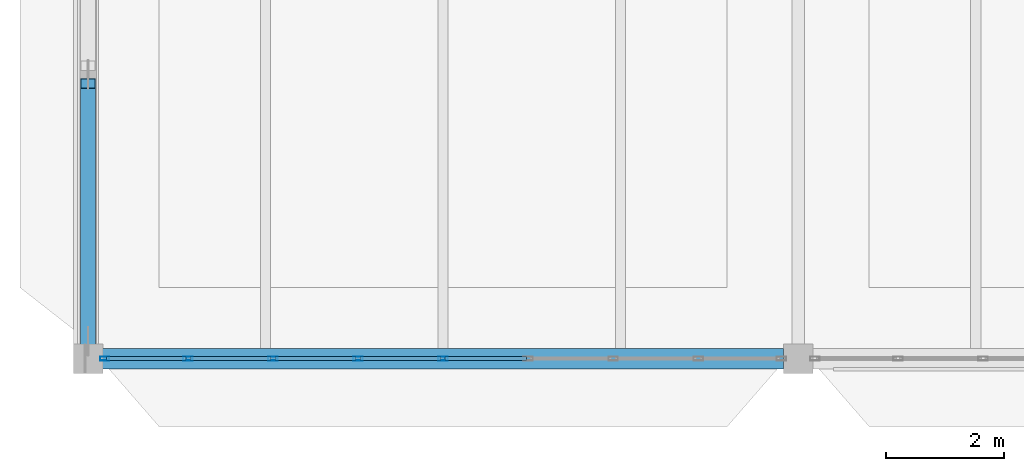
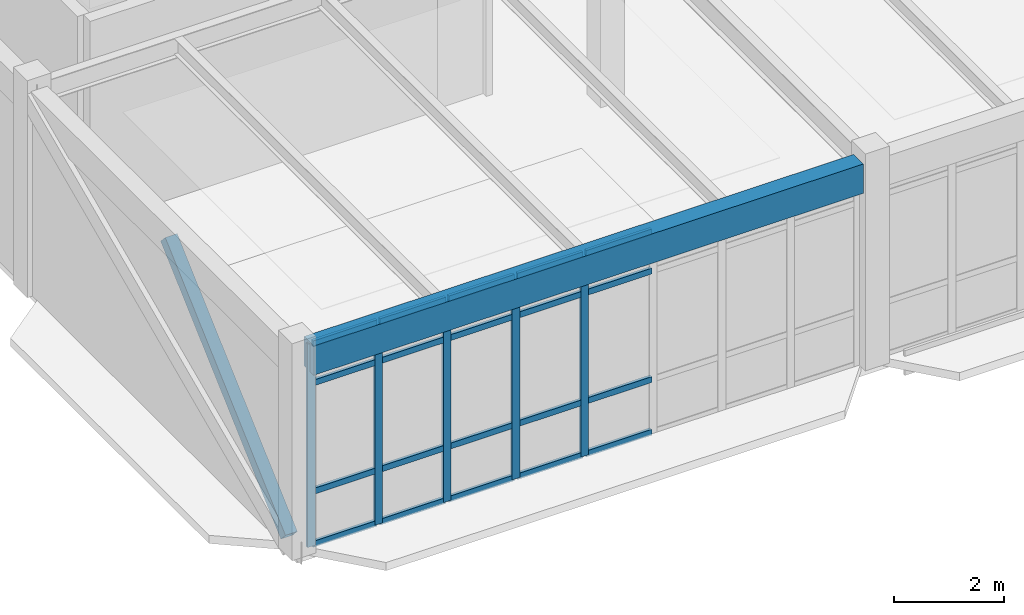
# One storey, part 9 of 236: 26 members, 1 beam, 1 element without a shape of its own.
"""IFC4 building model written with IfcOpenShell, lengths in metres."""

from ifc_helpers import new_model, si_unit, direction, frame, origin, origin_2d, place, context, subcontext, project, spatial, rectangle, hollow_rectangle, extrude, material, layer, layer_set, material_profile, profile_set, type_object, element, aggregate, save


model = new_model("IFC4")

# Units and contexts
model_context = context("Model", 3, precision=1e-05, world=origin(), true_north=direction((0.0, 1.0)))
body_context = subcontext(model_context, "Body", "Model", "MODEL_VIEW")
ifc_project = project(units=[si_unit("LENGTHUNIT", "METRE"), si_unit("AREAUNIT", "SQUARE_METRE"), si_unit("VOLUMEUNIT", "CUBIC_METRE"), si_unit("PLANEANGLEUNIT", "RADIAN"), si_unit("MASSUNIT", "GRAM", prefix="KILO")], contexts=[model_context])

# Site, building, storey
site_placement = place(None, origin())
site = spatial("IfcSite", under=ifc_project, at=site_placement, CompositionType="ELEMENT")
building_placement = place(site_placement, origin())
building = spatial("IfcBuilding", under=site, at=building_placement, Name="Pandanus Reach Market Hall", CompositionType="ELEMENT")
storey_placement = place(building_placement, frame((0.0, 0.0, 5.39990234375)))
storey = spatial("IfcBuildingStorey", under=building, at=storey_placement, Name="L01", CompositionType="ELEMENT", Elevation=5.39990234375)

# Beam
ifc_material_1 = material(Name="Concrete N40 (40 MPa)", Category="concrete")
ifc_material_profile_1 = material_profile(ifc_material_1, rectangle(XDim=0.35009765625, YDim=0.64990234375, at=origin_2d()), Name="RC350x650", Category="LoadBearing")
ifc_profile_set_1 = profile_set([ifc_material_profile_1], Name="Concrete N40 (40 MPa)")
beam_type = type_object("IfcBeamType", Name="BM-RC350-E", PredefinedType="SPANDREL", material=ifc_profile_set_1)
beam_placement = place(storey_placement, frame((0.248046875, 0.0, 4.210205078125), z_axis=(1.0, 0.0, 0.0), x_axis=(0.0, 1.0, 0.0)))
element("IfcBeam", 1, at=beam_placement, inside=storey, type_object=beam_type, Name="Framing beam BM-RC350-E L01.966", PredefinedType="SPANDREL", context=body_context, shape_type="SweptSolid", body=[
    extrude(rectangle(XDim=0.35009765625, YDim=0.64990234375, at=origin_2d()), origin(), (0.0, 0.0, 1.0), 11.50390625),
])

# Member
ifc_material_2 = material(Name="Steel Grade 350 (350 MPa)", Category="steel")
ifc_material_profile_2 = material_profile(ifc_material_2, hollow_rectangle(XDim=0.25, YDim=0.25, WallThickness=0.010009765625, at=origin_2d()), Name="250x250x10.0SHS", Category="LoadBearing")
ifc_profile_set_2 = profile_set([ifc_material_profile_2], Name="Steel Grade 350 (350 MPa)")
member_type_1 = type_object("IfcMemberType", Name="BR-SHS250-E", PredefinedType="BRACE", material=ifc_profile_set_2)
member_1_placement = place(storey_placement, frame((0.0, 0.2900390625, 0.150146484375), z_axis=(0.0, 0.741086318029, 0.671409762537), x_axis=(-1.0, 0.0, 0.0)))
element("IfcMember", 2, at=member_1_placement, inside=storey, type_object=member_type_1, Name="Chevron brace BR-SHS250-E 10A", PredefinedType="BRACE", context=body_context, shape_type="SweptSolid", body=[
    extrude(hollow_rectangle(XDim=0.25, YDim=0.25, WallThickness=0.010009765625, at=origin_2d()), origin(), (0.0, 0.0, 1.0), 5.883056640625),
])

# Curtain wall, members
ifc_material_3 = material(Name="Bronze anodised aluminium and low-E glass", Category="aluminium")
ifc_layer = layer(ifc_material_3, 0.159912109375, Name="CW-15")
ifc_layer_set = layer_set([ifc_layer], Name="Bronze anodised aluminium and low-E glass")
curtain_wall_type = type_object("IfcCurtainWallType", Name="CW-15", PredefinedType="NOTDEFINED", material=ifc_layer_set)
curtain_wall_placement = place(storey_placement, origin())
curtain_wall = element("IfcCurtainWall", 3, at=curtain_wall_placement, inside=storey, type_object=curtain_wall_type, Name="Glazed curtain wall CW-15 CW-0054", PredefinedType="NOTDEFINED")
ifc_material_4 = material(Name="Bronze anodised aluminium", Category="aluminium")
ifc_material_profile_3 = material_profile(ifc_material_4, hollow_rectangle(XDim=0.06494140625, YDim=0.159912109375, WallThickness=0.00390625, at=origin_2d()), Name="ALU65x160", Category="LoadBearing")
ifc_profile_set_3 = profile_set([ifc_material_profile_3], Name="Bronze anodised aluminium")
member_type_2 = type_object("IfcMemberType", Name="CW-M1", PredefinedType="MULLION", material=ifc_profile_set_3)
member_2_placement = place(storey_placement, frame((0.282470703125, 0.0, 0.0), z_axis=(0.0, 0.0, 1.0), x_axis=(0.0, 1.0, 0.0)))
member_2 = element("IfcMember", 4, at=member_2_placement, type_object=member_type_2, Name="CW-15 mullion 1", PredefinedType="MULLION", context=body_context, shape_type="SweptSolid", body=[
    extrude(hollow_rectangle(XDim=0.06494140625, YDim=0.159912109375, WallThickness=0.00390625, at=origin_2d()), origin(), (0.0, 0.0, 1.0), 4.5),
])
member_3_placement = place(storey_placement, frame((1.6875, 0.0, 0.0), z_axis=(0.0, 0.0, 1.0), x_axis=(0.0, 1.0, 0.0)))
member_3 = element("IfcMember", 5, at=member_3_placement, type_object=member_type_2, Name="CW-15 mullion 2", PredefinedType="MULLION", context=body_context, shape_type="SweptSolid", body=[
    extrude(hollow_rectangle(XDim=0.06494140625, YDim=0.159912109375, WallThickness=0.00390625, at=origin_2d()), origin(), (0.0, 0.0, 1.0), 4.5),
])
member_4_placement = place(storey_placement, frame((3.125, 0.0, 0.0), z_axis=(0.0, 0.0, 1.0), x_axis=(0.0, 1.0, 0.0)))
member_4 = element("IfcMember", 6, at=member_4_placement, type_object=member_type_2, Name="CW-15 mullion 3", PredefinedType="MULLION", context=body_context, shape_type="SweptSolid", body=[
    extrude(hollow_rectangle(XDim=0.06494140625, YDim=0.159912109375, WallThickness=0.00390625, at=origin_2d()), origin(), (0.0, 0.0, 1.0), 4.5),
])
member_5_placement = place(storey_placement, frame((4.5625, 0.0, 0.0), z_axis=(0.0, 0.0, 1.0), x_axis=(0.0, 1.0, 0.0)))
member_5 = element("IfcMember", 7, at=member_5_placement, type_object=member_type_2, Name="CW-15 mullion 4", PredefinedType="MULLION", context=body_context, shape_type="SweptSolid", body=[
    extrude(hollow_rectangle(XDim=0.06494140625, YDim=0.159912109375, WallThickness=0.00390625, at=origin_2d()), origin(), (0.0, 0.0, 1.0), 4.5),
])
member_6_placement = place(storey_placement, frame((6.0, 0.0, 0.0), z_axis=(0.0, 0.0, 1.0), x_axis=(0.0, 1.0, 0.0)))
member_6 = element("IfcMember", 8, at=member_6_placement, type_object=member_type_2, Name="CW-15 mullion 5", PredefinedType="MULLION", context=body_context, shape_type="SweptSolid", body=[
    extrude(hollow_rectangle(XDim=0.06494140625, YDim=0.159912109375, WallThickness=0.00390625, at=origin_2d()), origin(), (0.0, 0.0, 1.0), 4.5),
])
ifc_material_profile_4 = material_profile(ifc_material_4, hollow_rectangle(XDim=0.06494140625, YDim=0.1298828125, WallThickness=0.00390625, at=origin_2d()), Name="ALU65x130", Category="LoadBearing")
ifc_profile_set_4 = profile_set([ifc_material_profile_4], Name="Bronze anodised aluminium")
member_type_3 = type_object("IfcMemberType", Name="CW-T1", PredefinedType="USERDEFINED", material=ifc_profile_set_4)
member_7_placement = place(storey_placement, frame((0.31494140625, 0.0, 0.03271484375), z_axis=(1.0, 0.0, 0.0), x_axis=(0.0, 1.0, 0.0)))
member_7 = element("IfcMember", 9, at=member_7_placement, type_object=member_type_3, Name="CW-15 transom 1.1", ObjectType="TRANSOM", PredefinedType="USERDEFINED", context=body_context, shape_type="SweptSolid", body=[
    extrude(hollow_rectangle(XDim=0.06494140625, YDim=0.1298828125, WallThickness=0.00390625, at=origin_2d()), origin(), (0.0, 0.0, 1.0), 1.340087890625),
])
member_8_placement = place(storey_placement, frame((0.31494140625, 0.0, 1.2001953125), z_axis=(1.0, 0.0, 0.0), x_axis=(0.0, 1.0, 0.0)))
member_8 = element("IfcMember", 10, at=member_8_placement, type_object=member_type_3, Name="CW-15 transom 1.2", ObjectType="TRANSOM", PredefinedType="USERDEFINED", context=body_context, shape_type="SweptSolid", body=[
    extrude(hollow_rectangle(XDim=0.06494140625, YDim=0.1298828125, WallThickness=0.00390625, at=origin_2d()), origin(), (0.0, 0.0, 1.0), 1.340087890625),
])
member_9_placement = place(storey_placement, frame((0.31494140625, 0.0, 3.60009765625), z_axis=(1.0, 0.0, 0.0), x_axis=(0.0, 1.0, 0.0)))
member_9 = element("IfcMember", 11, at=member_9_placement, type_object=member_type_3, Name="CW-15 transom 1.3", ObjectType="TRANSOM", PredefinedType="USERDEFINED", context=body_context, shape_type="SweptSolid", body=[
    extrude(hollow_rectangle(XDim=0.06494140625, YDim=0.1298828125, WallThickness=0.00390625, at=origin_2d()), origin(), (0.0, 0.0, 1.0), 1.340087890625),
])
member_10_placement = place(storey_placement, frame((0.31494140625, 0.0, 4.467529296875), z_axis=(1.0, 0.0, 0.0), x_axis=(0.0, 1.0, 0.0)))
member_10 = element("IfcMember", 12, at=member_10_placement, type_object=member_type_3, Name="CW-15 transom 1.4", ObjectType="TRANSOM", PredefinedType="USERDEFINED", context=body_context, shape_type="SweptSolid", body=[
    extrude(hollow_rectangle(XDim=0.06494140625, YDim=0.1298828125, WallThickness=0.00390625, at=origin_2d()), origin(), (0.0, 0.0, 1.0), 1.340087890625),
])
member_11_placement = place(storey_placement, frame((1.719970703125, 0.0, 0.03271484375), z_axis=(1.0, 0.0, 0.0), x_axis=(0.0, 1.0, 0.0)))
member_11 = element("IfcMember", 13, at=member_11_placement, type_object=member_type_3, Name="CW-15 transom 2.1", ObjectType="TRANSOM", PredefinedType="USERDEFINED", context=body_context, shape_type="SweptSolid", body=[
    extrude(hollow_rectangle(XDim=0.06494140625, YDim=0.1298828125, WallThickness=0.00390625, at=origin_2d()), origin(), (0.0, 0.0, 1.0), 1.37255859375),
])
member_12_placement = place(storey_placement, frame((1.719970703125, 0.0, 1.2001953125), z_axis=(1.0, 0.0, 0.0), x_axis=(0.0, 1.0, 0.0)))
member_12 = element("IfcMember", 14, at=member_12_placement, type_object=member_type_3, Name="CW-15 transom 2.2", ObjectType="TRANSOM", PredefinedType="USERDEFINED", context=body_context, shape_type="SweptSolid", body=[
    extrude(hollow_rectangle(XDim=0.06494140625, YDim=0.1298828125, WallThickness=0.00390625, at=origin_2d()), origin(), (0.0, 0.0, 1.0), 1.37255859375),
])
member_13_placement = place(storey_placement, frame((1.719970703125, 0.0, 3.60009765625), z_axis=(1.0, 0.0, 0.0), x_axis=(0.0, 1.0, 0.0)))
member_13 = element("IfcMember", 15, at=member_13_placement, type_object=member_type_3, Name="CW-15 transom 2.3", ObjectType="TRANSOM", PredefinedType="USERDEFINED", context=body_context, shape_type="SweptSolid", body=[
    extrude(hollow_rectangle(XDim=0.06494140625, YDim=0.1298828125, WallThickness=0.00390625, at=origin_2d()), origin(), (0.0, 0.0, 1.0), 1.37255859375),
])
member_14_placement = place(storey_placement, frame((1.719970703125, 0.0, 4.467529296875), z_axis=(1.0, 0.0, 0.0), x_axis=(0.0, 1.0, 0.0)))
member_14 = element("IfcMember", 16, at=member_14_placement, type_object=member_type_3, Name="CW-15 transom 2.4", ObjectType="TRANSOM", PredefinedType="USERDEFINED", context=body_context, shape_type="SweptSolid", body=[
    extrude(hollow_rectangle(XDim=0.06494140625, YDim=0.1298828125, WallThickness=0.00390625, at=origin_2d()), origin(), (0.0, 0.0, 1.0), 1.37255859375),
])
member_15_placement = place(storey_placement, frame((3.157470703125, 0.0, 0.03271484375), z_axis=(1.0, 0.0, 0.0), x_axis=(0.0, 1.0, 0.0)))
member_15 = element("IfcMember", 17, at=member_15_placement, type_object=member_type_3, Name="CW-15 transom 3.1", ObjectType="TRANSOM", PredefinedType="USERDEFINED", context=body_context, shape_type="SweptSolid", body=[
    extrude(hollow_rectangle(XDim=0.06494140625, YDim=0.1298828125, WallThickness=0.00390625, at=origin_2d()), origin(), (0.0, 0.0, 1.0), 1.37255859375),
])
member_16_placement = place(storey_placement, frame((3.157470703125, 0.0, 1.2001953125), z_axis=(1.0, 0.0, 0.0), x_axis=(0.0, 1.0, 0.0)))
member_16 = element("IfcMember", 18, at=member_16_placement, type_object=member_type_3, Name="CW-15 transom 3.2", ObjectType="TRANSOM", PredefinedType="USERDEFINED", context=body_context, shape_type="SweptSolid", body=[
    extrude(hollow_rectangle(XDim=0.06494140625, YDim=0.1298828125, WallThickness=0.00390625, at=origin_2d()), origin(), (0.0, 0.0, 1.0), 1.37255859375),
])
member_17_placement = place(storey_placement, frame((3.157470703125, 0.0, 3.60009765625), z_axis=(1.0, 0.0, 0.0), x_axis=(0.0, 1.0, 0.0)))
member_17 = element("IfcMember", 19, at=member_17_placement, type_object=member_type_3, Name="CW-15 transom 3.3", ObjectType="TRANSOM", PredefinedType="USERDEFINED", context=body_context, shape_type="SweptSolid", body=[
    extrude(hollow_rectangle(XDim=0.06494140625, YDim=0.1298828125, WallThickness=0.00390625, at=origin_2d()), origin(), (0.0, 0.0, 1.0), 1.37255859375),
])
member_18_placement = place(storey_placement, frame((3.157470703125, 0.0, 4.467529296875), z_axis=(1.0, 0.0, 0.0), x_axis=(0.0, 1.0, 0.0)))
member_18 = element("IfcMember", 20, at=member_18_placement, type_object=member_type_3, Name="CW-15 transom 3.4", ObjectType="TRANSOM", PredefinedType="USERDEFINED", context=body_context, shape_type="SweptSolid", body=[
    extrude(hollow_rectangle(XDim=0.06494140625, YDim=0.1298828125, WallThickness=0.00390625, at=origin_2d()), origin(), (0.0, 0.0, 1.0), 1.37255859375),
])
member_19_placement = place(storey_placement, frame((4.594970703125, 0.0, 0.03271484375), z_axis=(1.0, 0.0, 0.0), x_axis=(0.0, 1.0, 0.0)))
member_19 = element("IfcMember", 21, at=member_19_placement, type_object=member_type_3, Name="CW-15 transom 4.1", ObjectType="TRANSOM", PredefinedType="USERDEFINED", context=body_context, shape_type="SweptSolid", body=[
    extrude(hollow_rectangle(XDim=0.06494140625, YDim=0.1298828125, WallThickness=0.00390625, at=origin_2d()), origin(), (0.0, 0.0, 1.0), 1.37255859375),
])
member_20_placement = place(storey_placement, frame((4.594970703125, 0.0, 1.2001953125), z_axis=(1.0, 0.0, 0.0), x_axis=(0.0, 1.0, 0.0)))
member_20 = element("IfcMember", 22, at=member_20_placement, type_object=member_type_3, Name="CW-15 transom 4.2", ObjectType="TRANSOM", PredefinedType="USERDEFINED", context=body_context, shape_type="SweptSolid", body=[
    extrude(hollow_rectangle(XDim=0.06494140625, YDim=0.1298828125, WallThickness=0.00390625, at=origin_2d()), origin(), (0.0, 0.0, 1.0), 1.37255859375),
])
member_21_placement = place(storey_placement, frame((4.594970703125, 0.0, 3.60009765625), z_axis=(1.0, 0.0, 0.0), x_axis=(0.0, 1.0, 0.0)))
member_21 = element("IfcMember", 23, at=member_21_placement, type_object=member_type_3, Name="CW-15 transom 4.3", ObjectType="TRANSOM", PredefinedType="USERDEFINED", context=body_context, shape_type="SweptSolid", body=[
    extrude(hollow_rectangle(XDim=0.06494140625, YDim=0.1298828125, WallThickness=0.00390625, at=origin_2d()), origin(), (0.0, 0.0, 1.0), 1.37255859375),
])
member_22_placement = place(storey_placement, frame((4.594970703125, 0.0, 4.467529296875), z_axis=(1.0, 0.0, 0.0), x_axis=(0.0, 1.0, 0.0)))
member_22 = element("IfcMember", 24, at=member_22_placement, type_object=member_type_3, Name="CW-15 transom 4.4", ObjectType="TRANSOM", PredefinedType="USERDEFINED", context=body_context, shape_type="SweptSolid", body=[
    extrude(hollow_rectangle(XDim=0.06494140625, YDim=0.1298828125, WallThickness=0.00390625, at=origin_2d()), origin(), (0.0, 0.0, 1.0), 1.37255859375),
])
member_23_placement = place(storey_placement, frame((6.032470703125, 0.0, 0.03271484375), z_axis=(1.0, 0.0, 0.0), x_axis=(0.0, 1.0, 0.0)))
member_23 = element("IfcMember", 25, at=member_23_placement, type_object=member_type_3, Name="CW-15 transom 5.1", ObjectType="TRANSOM", PredefinedType="USERDEFINED", context=body_context, shape_type="SweptSolid", body=[
    extrude(hollow_rectangle(XDim=0.06494140625, YDim=0.1298828125, WallThickness=0.00390625, at=origin_2d()), origin(), (0.0, 0.0, 1.0), 1.37255859375),
])
member_24_placement = place(storey_placement, frame((6.032470703125, 0.0, 1.2001953125), z_axis=(1.0, 0.0, 0.0), x_axis=(0.0, 1.0, 0.0)))
member_24 = element("IfcMember", 26, at=member_24_placement, type_object=member_type_3, Name="CW-15 transom 5.2", ObjectType="TRANSOM", PredefinedType="USERDEFINED", context=body_context, shape_type="SweptSolid", body=[
    extrude(hollow_rectangle(XDim=0.06494140625, YDim=0.1298828125, WallThickness=0.00390625, at=origin_2d()), origin(), (0.0, 0.0, 1.0), 1.37255859375),
])
member_25_placement = place(storey_placement, frame((6.032470703125, 0.0, 3.60009765625), z_axis=(1.0, 0.0, 0.0), x_axis=(0.0, 1.0, 0.0)))
member_25 = element("IfcMember", 27, at=member_25_placement, type_object=member_type_3, Name="CW-15 transom 5.3", ObjectType="TRANSOM", PredefinedType="USERDEFINED", context=body_context, shape_type="SweptSolid", body=[
    extrude(hollow_rectangle(XDim=0.06494140625, YDim=0.1298828125, WallThickness=0.00390625, at=origin_2d()), origin(), (0.0, 0.0, 1.0), 1.37255859375),
])
member_26_placement = place(storey_placement, frame((6.032470703125, 0.0, 4.467529296875), z_axis=(1.0, 0.0, 0.0), x_axis=(0.0, 1.0, 0.0)))
member_26 = element("IfcMember", 28, at=member_26_placement, type_object=member_type_3, Name="CW-15 transom 5.4", ObjectType="TRANSOM", PredefinedType="USERDEFINED", context=body_context, shape_type="SweptSolid", body=[
    extrude(hollow_rectangle(XDim=0.06494140625, YDim=0.1298828125, WallThickness=0.00390625, at=origin_2d()), origin(), (0.0, 0.0, 1.0), 1.37255859375),
])
aggregate(curtain_wall, [member_2, member_3, member_4, member_5, member_6, member_7, member_8, member_9, member_10, member_11, member_12, member_13, member_14, member_15, member_16, member_17, member_18, member_19, member_20, member_21, member_22, member_23, member_24, member_25, member_26])

save(model, "model.ifc")
